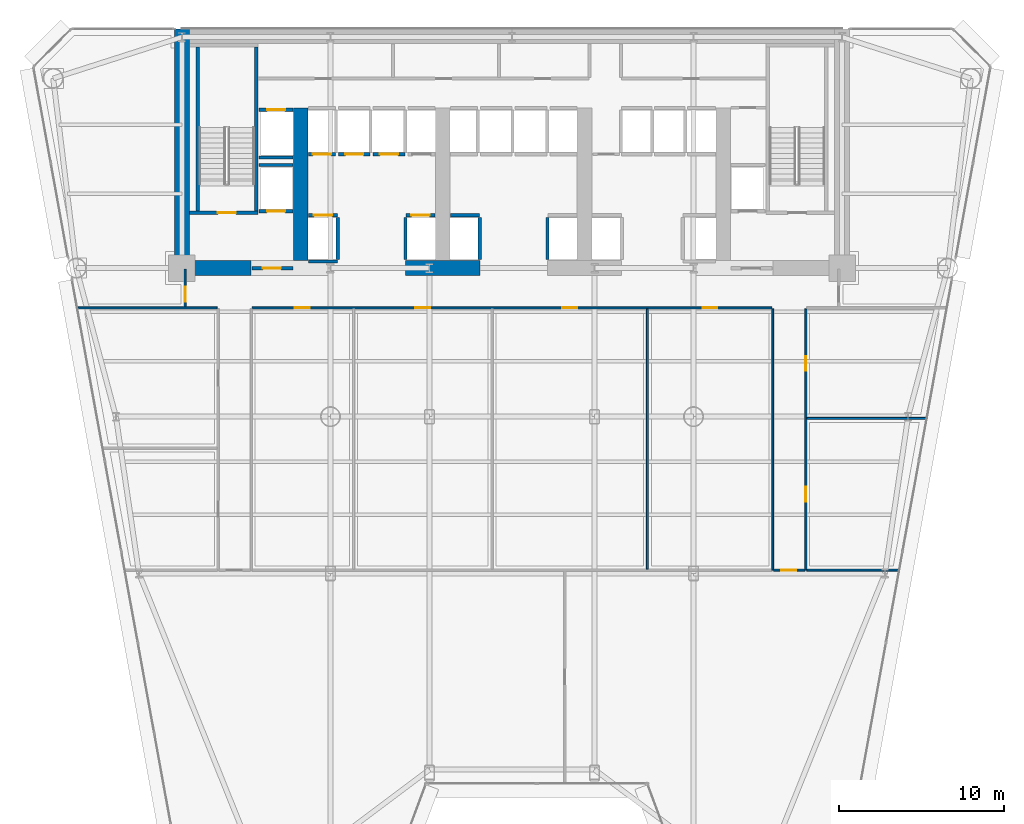
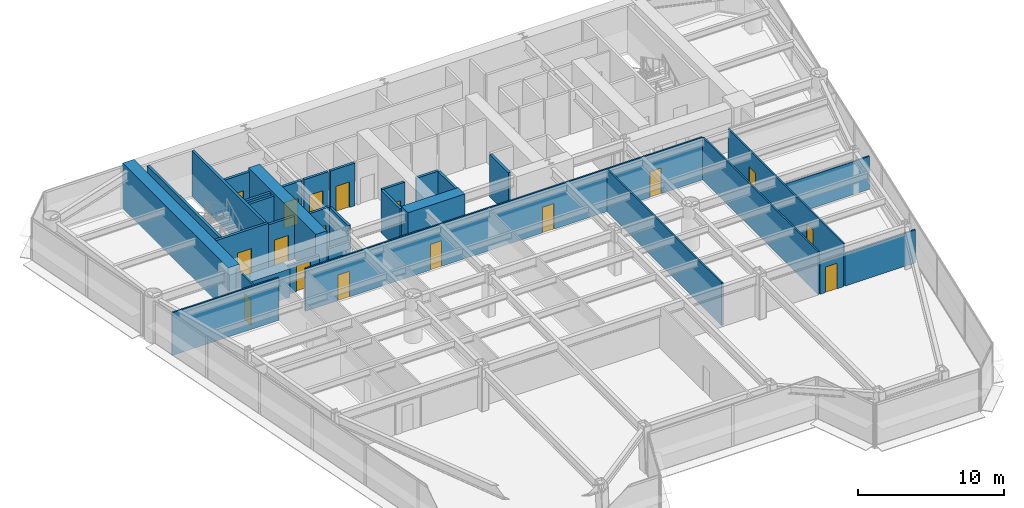
# One storey, part 8 of 14: 32 walls, 17 doors, 17 openings.
"""IFC4 building model written with IfcOpenShell, lengths in metres."""

from ifc_helpers import new_model, si_unit, direction, frame, frame_2d, origin, place, context, subcontext, project, spatial, rectangle, extrude, source, transform, mapped, material, layer, layer_set, type_object, element, fill, save


model = new_model("IFC4")

# Units and contexts
model_context = context("Model", 3, precision=1e-05, world=origin(), true_north=direction((0.0, 1.0)))
body_context = subcontext(model_context, "Body", "Model", "MODEL_VIEW")
ifc_project = project(units=[si_unit("LENGTHUNIT", "METRE"), si_unit("AREAUNIT", "SQUARE_METRE"), si_unit("VOLUMEUNIT", "CUBIC_METRE"), si_unit("PLANEANGLEUNIT", "RADIAN"), si_unit("MASSUNIT", "GRAM", prefix="KILO")], contexts=[model_context])

# Site, building, storey
site_placement = place(None, origin())
site = spatial("IfcSite", under=ifc_project, at=site_placement, CompositionType="ELEMENT")
building_placement = place(site_placement, origin())
building = spatial("IfcBuilding", under=site, at=building_placement, Name="Vaeldorn Concourse Tower", CompositionType="ELEMENT")
storey_placement = place(building_placement, frame((0.0, 0.0, 26.39990234375)))
storey = spatial("IfcBuildingStorey", under=building, at=storey_placement, Name="L06", CompositionType="ELEMENT", Elevation=26.39990234375)

# Walls
ifc_material_1 = material(Name="Concrete C60/75", Category="concrete")
ifc_layer_1 = layer(ifc_material_1, 0.89990234375)
ifc_layer_set_1 = layer_set([ifc_layer_1], Name="Concrete C60/75")
wall_type_1 = type_object("IfcWallType", Name="WL-CORE-900", PredefinedType="SHEAR", material=ifc_layer_set_1)
wall_1_placement = place(storey_placement, frame((14.0, 36.5, 0.0), z_axis=(0.0, 0.0, 1.0), x_axis=(0.0, 1.0, 0.0)))
element("IfcWall", 1, at=wall_1_placement, inside=storey, type_object=wall_type_1, Name="Rear Core Shear Wall L06 W1", PredefinedType="SHEAR", context=body_context, shape_type="SweptSolid", body=[
    extrude(rectangle(XDim=14.5, YDim=0.89990234375, at=frame_2d((7.25, 0.0))), origin(), (0.0, 0.0, 1.0), 3.800048828125),
])
wall_2_placement = place(storey_placement, frame((14.469970703125, 36.5, 0.0), z_axis=(0.0, 0.0, 1.0), x_axis=(1.0, 0.0, 0.0)))
element("IfcWall", 2, at=wall_2_placement, inside=storey, type_object=wall_type_1, Name="Rear Core Shear Wall L06 S1", PredefinedType="SHEAR", context=body_context, shape_type="SweptSolid", body=[
    extrude(rectangle(XDim=3.72998046875, YDim=0.89990234375, at=frame_2d((1.864990234375, 0.0))), origin(), (0.0, 0.0, 1.0), 2.380126953125),
])
wall_3_placement = place(storey_placement, frame((27.550048828125, 36.5, 0.0), z_axis=(0.0, 0.0, 1.0), x_axis=(1.0, 0.0, 0.0)))
element("IfcWall", 3, at=wall_3_placement, inside=storey, type_object=wall_type_1, Name="Rear Core Shear Wall L06 S2", PredefinedType="SHEAR", context=body_context, shape_type="SweptSolid", body=[
    extrude(rectangle(XDim=4.5, YDim=0.89990234375, at=frame_2d((2.25, 0.0))), origin(), (0.0, 0.0, 1.0), 3.800048828125),
])
wall_4_placement = place(storey_placement, frame((21.199951171875, 36.969970703125, 0.0), z_axis=(0.0, 0.0, 1.0), x_axis=(0.0, 1.0, 0.0)))
element("IfcWall", 4, at=wall_4_placement, inside=storey, type_object=wall_type_1, Name="Rear Core Shear Wall L06 M1", PredefinedType="SHEAR", context=body_context, shape_type="SweptSolid", body=[
    extrude(rectangle(XDim=9.22998046875, YDim=0.89990234375, at=frame_2d((4.614990234375, 0.0))), origin(), (0.0, 0.0, 1.0), 3.800048828125),
])

# Wall, openings, doors
ifc_material_2 = material(Name="Gypsum Board Partition", Category="gypsum")
ifc_layer_2 = layer(ifc_material_2, 0.1201171875)
ifc_layer_set_2 = layer_set([ifc_layer_2], Name="Gypsum Board Partition")
wall_type_2 = type_object("IfcWallType", Name="WL-PART-120", PredefinedType="PARTITIONING", material=ifc_layer_set_2)
wall_5_placement = place(storey_placement, frame((18.260009765625, 34.10009765625, 0.0), z_axis=(0.0, 0.0, 1.0), x_axis=(1.0, 0.0, 0.0)))
wall_5 = element("IfcWall", 5, at=wall_5_placement, inside=storey, type_object=wall_type_2, Name="Interior Wall PW-L06-CEWS", PredefinedType="PARTITIONING", context=body_context, shape_type="SweptSolid", body=[
    extrude(rectangle(XDim=31.47998046875, YDim=0.1201171875, at=frame_2d((15.739990234375, 0.0))), origin(), (0.0, 0.0, 1.0), 3.580078125),
])
opening_1_placement = place(wall_5_placement, frame((2.590087890625, 0.0, 0.0)))
opening_1 = element("IfcOpeningElement", 6, at=opening_1_placement, cuts=wall_5, Name="Opening D-03", PredefinedType="OPENING", context=body_context, shape_type="SweptSolid", body=[
    extrude(rectangle(XDim=0.89990234375, YDim=2.14990234375, at=frame_2d((0.449951171875, 1.074951171875))), frame((0.0, 0.070068359375, 0.0), z_axis=(0.0, -1.0, 0.0), x_axis=(1.0, 0.0, 0.0)), (0.0, 0.0, 1.0), 0.14013671875),
])
opening_2_placement = place(wall_5_placement, frame((9.889892578125, 0.0, 0.0)))
opening_2 = element("IfcOpeningElement", 7, at=opening_2_placement, cuts=wall_5, Name="Opening D-03", PredefinedType="OPENING", context=body_context, shape_type="SweptSolid", body=[
    extrude(rectangle(XDim=0.89990234375, YDim=2.14990234375, at=frame_2d((0.449951171875, 1.074951171875))), frame((0.0, 0.070068359375, 0.0), z_axis=(0.0, -1.0, 0.0), x_axis=(1.0, 0.0, 0.0)), (0.0, 0.0, 1.0), 0.14013671875),
])
opening_3_placement = place(wall_5_placement, frame((18.7900390625, 0.0, 0.0)))
opening_3 = element("IfcOpeningElement", 8, at=opening_3_placement, cuts=wall_5, Name="Opening D-03", PredefinedType="OPENING", context=body_context, shape_type="SweptSolid", body=[
    extrude(rectangle(XDim=0.89990234375, YDim=2.14990234375, at=frame_2d((0.449951171875, 1.074951171875))), frame((0.0, 0.070068359375, 0.0), z_axis=(0.0, -1.0, 0.0), x_axis=(1.0, 0.0, 0.0)), (0.0, 0.0, 1.0), 0.14013671875),
])
opening_4_placement = place(wall_5_placement, frame((27.2900390625, 0.0, 0.0)))
opening_4 = element("IfcOpeningElement", 9, at=opening_4_placement, cuts=wall_5, Name="Opening D-03", PredefinedType="OPENING", context=body_context, shape_type="SweptSolid", body=[
    extrude(rectangle(XDim=0.89990234375, YDim=2.14990234375, at=frame_2d((0.449951171875, 1.074951171875))), frame((0.0, 0.070068359375, 0.0), z_axis=(0.0, -1.0, 0.0), x_axis=(1.0, 0.0, 0.0)), (0.0, 0.0, 1.0), 0.14013671875),
])
ifc_material_3 = material(Name="Acoustic Bronze-Framed Glass Door", Category="glass")
door_type_1 = type_object("IfcDoorType", Name="DR-INT-900", OperationType="NOTDEFINED", PredefinedType="DOOR", material=ifc_material_3)
shared_shape_1 = source(origin(), body_context, "Body", "SweptSolid", [
    extrude(rectangle(XDim=0.89990234375, YDim=2.14990234375, at=frame_2d((0.449951171875, 1.074951171875))), frame((0.0, 0.02490234375, 0.0), z_axis=(0.0, -1.0, 0.0), x_axis=(1.0, 0.0, 0.0)), (0.0, 0.0, 1.0), 0.050048828125),
])
door_1_placement = place(opening_1_placement, origin())
door_1 = element("IfcDoor", 10, at=door_1_placement, inside=storey, type_object=door_type_1, Name="Interior Door DR-L06-H1", OperationType="SINGLE_SWING_LEFT", OverallHeight=2.14990234375, OverallWidth=0.89990234375, PredefinedType="DOOR", context=body_context, shape_type="MappedRepresentation", body=[
    mapped(shared_shape_1, transform((0.0, 0.0, 0.0), scale=1.0)),
])
fill(opening_1, door_1)
door_2_placement = place(opening_2_placement, origin())
door_2 = element("IfcDoor", 11, at=door_2_placement, inside=storey, type_object=door_type_1, Name="Interior Door DR-L06-H2", OperationType="SINGLE_SWING_RIGHT", OverallHeight=2.14990234375, OverallWidth=0.89990234375, PredefinedType="DOOR", context=body_context, shape_type="MappedRepresentation", body=[
    mapped(shared_shape_1, transform((0.0, 0.0, 0.0), scale=1.0)),
])
fill(opening_2, door_2)
door_3_placement = place(opening_3_placement, origin())
door_3 = element("IfcDoor", 12, at=door_3_placement, inside=storey, type_object=door_type_1, Name="Interior Door DR-L06-H3", OperationType="SINGLE_SWING_LEFT", OverallHeight=2.14990234375, OverallWidth=0.89990234375, PredefinedType="DOOR", context=body_context, shape_type="MappedRepresentation", body=[
    mapped(shared_shape_1, transform((0.0, 0.0, 0.0), scale=1.0)),
])
fill(opening_3, door_3)
door_4_placement = place(opening_4_placement, origin())
door_4 = element("IfcDoor", 13, at=door_4_placement, inside=storey, type_object=door_type_1, Name="Interior Door DR-L06-H4", OperationType="SINGLE_SWING_RIGHT", OverallHeight=2.14990234375, OverallWidth=0.89990234375, PredefinedType="DOOR", context=body_context, shape_type="MappedRepresentation", body=[
    mapped(shared_shape_1, transform((0.0, 0.0, 0.0), scale=1.0)),
])
fill(opening_4, door_4)

# Wall
wall_6_placement = place(storey_placement, frame((7.690185546875, 34.10009765625, 0.0), z_axis=(0.0, 0.0, 1.0), x_axis=(1.0, 0.0, 0.0)))
element("IfcWall", 14, at=wall_6_placement, inside=storey, type_object=wall_type_2, Name="Interior Wall PW-L06-CEWW", PredefinedType="PARTITIONING", context=body_context, shape_type="SweptSolid", body=[
    extrude(rectangle(XDim=8.44970703125, YDim=0.1201171875, at=frame_2d((4.224853515625, 0.0))), origin(), (0.0, 0.0, 1.0), 3.580078125),
])

# Wall, opening, door
wall_7_placement = place(storey_placement, frame((14.199951171875, 34.159912109375, 0.0), z_axis=(0.0, 0.0, 1.0), x_axis=(0.0, 1.0, 0.0)))
wall_7 = element("IfcWall", 15, at=wall_7_placement, inside=storey, type_object=wall_type_2, Name="Interior Wall PW-L06-CWWT", PredefinedType="PARTITIONING", context=body_context, shape_type="SweptSolid", body=[
    extrude(rectangle(XDim=2.280029296875, YDim=0.1201171875, at=frame_2d((1.14013671875, 0.0))), origin(), (0.0, 0.0, 1.0), 3.580078125),
])
opening_5_placement = place(wall_7_placement, frame((0.300048828125, 0.0, 0.0)))
opening_5 = element("IfcOpeningElement", 16, at=opening_5_placement, cuts=wall_7, Name="Opening D-03", PredefinedType="OPENING", context=body_context, shape_type="SweptSolid", body=[
    extrude(rectangle(XDim=0.89990234375, YDim=2.14990234375, at=frame_2d((0.449951171875, 1.074951171875))), frame((0.0, 0.070068359375, 0.0), z_axis=(0.0, -1.0, 0.0), x_axis=(1.0, 0.0, 0.0)), (0.0, 0.0, 1.0), 0.14013671875),
])
door_5_placement = place(opening_5_placement, origin())
door_5 = element("IfcDoor", 17, at=door_5_placement, inside=storey, type_object=door_type_1, Name="Interior Door DR-L06-NW1", OperationType="SINGLE_SWING_LEFT", OverallHeight=2.14990234375, OverallWidth=0.89990234375, PredefinedType="DOOR", context=body_context, shape_type="MappedRepresentation", body=[
    mapped(shared_shape_1, transform((0.0, 0.0, 0.0), scale=1.0)),
])
fill(opening_5, door_5)

# Wall
wall_8_placement = place(storey_placement, frame((49.800048828125, 18.199951171875, 0.0), z_axis=(0.0, 0.0, 1.0), x_axis=(0.0, 1.0, 0.0)))
element("IfcWall", 18, at=wall_8_placement, inside=storey, type_object=wall_type_2, Name="Interior Wall PW-L06-CEW", PredefinedType="PARTITIONING", context=body_context, shape_type="SweptSolid", body=[
    extrude(rectangle(XDim=15.840087890625, YDim=0.1201171875, at=frame_2d((7.919921875, 0.0))), origin(), (0.0, 0.0, 1.0), 3.580078125),
])

# Wall, openings, doors
wall_9_placement = place(storey_placement, frame((51.800048828125, 18.199951171875, 0.0), z_axis=(0.0, 0.0, 1.0), x_axis=(0.0, 1.0, 0.0)))
wall_9 = element("IfcWall", 19, at=wall_9_placement, inside=storey, type_object=wall_type_2, Name="Interior Wall PW-L06-CEE", PredefinedType="PARTITIONING", context=body_context, shape_type="SweptSolid", body=[
    extrude(rectangle(XDim=15.840087890625, YDim=0.1201171875, at=frame_2d((7.919921875, 0.0))), origin(), (0.0, 0.0, 1.0), 3.580078125),
])
opening_6_placement = place(wall_9_placement, frame((4.14990234375, 0.0, 0.0)))
opening_6 = element("IfcOpeningElement", 20, at=opening_6_placement, cuts=wall_9, Name="Opening D-03", PredefinedType="OPENING", context=body_context, shape_type="SweptSolid", body=[
    extrude(rectangle(XDim=0.89990234375, YDim=2.14990234375, at=frame_2d((0.449951171875, 1.074951171875))), frame((0.0, 0.070068359375, 0.0), z_axis=(0.0, -1.0, 0.0), x_axis=(1.0, 0.0, 0.0)), (0.0, 0.0, 1.0), 0.14013671875),
])
opening_7_placement = place(wall_9_placement, frame((12.070068359375, 0.0, 0.0)))
opening_7 = element("IfcOpeningElement", 21, at=opening_7_placement, cuts=wall_9, Name="Opening D-03", PredefinedType="OPENING", context=body_context, shape_type="SweptSolid", body=[
    extrude(rectangle(XDim=0.89990234375, YDim=2.14990234375, at=frame_2d((0.449951171875, 1.074951171875))), frame((0.0, 0.070068359375, 0.0), z_axis=(0.0, -1.0, 0.0), x_axis=(1.0, 0.0, 0.0)), (0.0, 0.0, 1.0), 0.14013671875),
])
door_6_placement = place(opening_6_placement, origin())
door_6 = element("IfcDoor", 22, at=door_6_placement, inside=storey, type_object=door_type_1, Name="Interior Door DR-L06-E1", OperationType="SINGLE_SWING_RIGHT", OverallHeight=2.14990234375, OverallWidth=0.89990234375, PredefinedType="DOOR", context=body_context, shape_type="MappedRepresentation", body=[
    mapped(shared_shape_1, transform((0.0, 0.0, 0.0), scale=1.0)),
])
fill(opening_6, door_6)
door_7_placement = place(opening_7_placement, origin())
door_7 = element("IfcDoor", 23, at=door_7_placement, inside=storey, type_object=door_type_1, Name="Interior Door DR-L06-E2", OperationType="SINGLE_SWING_LEFT", OverallHeight=2.14990234375, OverallWidth=0.89990234375, PredefinedType="DOOR", context=body_context, shape_type="MappedRepresentation", body=[
    mapped(shared_shape_1, transform((0.0, 0.0, 0.0), scale=1.0)),
])
fill(opening_7, door_7)

# Wall, opening, door
wall_10_placement = place(storey_placement, frame((49.860107421875, 18.199951171875, 0.0), z_axis=(0.0, 0.0, 1.0), x_axis=(1.0, 0.0, 0.0)))
wall_10 = element("IfcWall", 24, at=wall_10_placement, inside=storey, type_object=wall_type_2, Name="Interior Wall PW-L06-CES", PredefinedType="PARTITIONING", context=body_context, shape_type="SweptSolid", body=[
    extrude(rectangle(XDim=1.8798828125, YDim=0.1201171875, at=frame_2d((0.93994140625, 0.0))), origin(), (0.0, 0.0, 1.0), 2.77001953125),
])
opening_8_placement = place(wall_10_placement, frame((0.449951171875, 0.0, 0.0)))
opening_8 = element("IfcOpeningElement", 25, at=opening_8_placement, cuts=wall_10, Name="Opening D-03", PredefinedType="OPENING", context=body_context, shape_type="SweptSolid", body=[
    extrude(rectangle(XDim=0.89990234375, YDim=2.14990234375, at=frame_2d((0.449951171875, 1.074951171875))), frame((0.0, 0.070068359375, 0.0), z_axis=(0.0, -1.0, 0.0), x_axis=(1.0, 0.0, 0.0)), (0.0, 0.0, 1.0), 0.14013671875),
])
door_8_placement = place(opening_8_placement, origin())
door_8 = element("IfcDoor", 26, at=door_8_placement, inside=storey, type_object=door_type_1, Name="Interior Door DR-L06-SEL", OperationType="SINGLE_SWING_RIGHT", OverallHeight=2.14990234375, OverallWidth=0.89990234375, PredefinedType="DOOR", context=body_context, shape_type="MappedRepresentation", body=[
    mapped(shared_shape_1, transform((0.0, 0.0, 0.0), scale=1.0)),
])
fill(opening_8, door_8)

# Walls
wall_11_placement = place(storey_placement, frame((51.860107421875, 18.199951171875, 0.0), z_axis=(0.0, 0.0, 1.0), x_axis=(1.0, 0.0, 0.0)))
element("IfcWall", 27, at=wall_11_placement, inside=storey, type_object=wall_type_2, Name="Interior Wall PW-L06-EY0", PredefinedType="PARTITIONING", context=body_context, shape_type="SweptSolid", body=[
    extrude(rectangle(XDim=5.563232421875, YDim=0.1201171875, at=frame_2d((2.78173828125, 0.0))), origin(), (0.0, 0.0, 1.0), 2.77001953125),
])
wall_12_placement = place(storey_placement, frame((51.860107421875, 27.39990234375, 0.0), z_axis=(0.0, 0.0, 1.0), x_axis=(1.0, 0.0, 0.0)))
element("IfcWall", 28, at=wall_12_placement, inside=storey, type_object=wall_type_2, Name="Interior Wall PW-L06-EY1", PredefinedType="PARTITIONING", context=body_context, shape_type="SweptSolid", body=[
    extrude(rectangle(XDim=7.2333984375, YDim=0.1201171875, at=frame_2d((3.61669921875, 0.0))), origin(), (0.0, 0.0, 1.0), 2.77001953125),
])
wall_13_placement = place(storey_placement, frame((42.199951171875, 18.260009765625, 0.0), z_axis=(0.0, 0.0, 1.0), x_axis=(0.0, 1.0, 0.0)))
element("IfcWall", 29, at=wall_13_placement, inside=storey, type_object=wall_type_2, Name="Interior Wall PW-L06-HX3", PredefinedType="PARTITIONING", context=body_context, shape_type="SweptSolid", body=[
    extrude(rectangle(XDim=15.780029296875, YDim=0.1201171875, at=frame_2d((7.89013671875, 0.0))), origin(), (0.0, 0.0, 1.0), 3.580078125),
])

# Wall, opening, door
ifc_material_4 = material(Name="Concrete C50/60", Category="concrete")
ifc_layer_3 = layer(ifc_material_4, 0.199951171875)
ifc_layer_set_3 = layer_set([ifc_layer_3], Name="Concrete C50/60")
wall_type_3 = type_object("IfcWallType", Name="WL-SHAFT-200", PredefinedType="SOLIDWALL", material=ifc_layer_set_3)
wall_14_placement = place(storey_placement, frame((14.449951171875, 39.85009765625, 0.0), z_axis=(0.0, 0.0, 1.0), x_axis=(1.0, 0.0, 0.0)))
wall_14 = element("IfcWall", 30, at=wall_14_placement, inside=storey, type_object=wall_type_3, Name="Stair Shaft Wall CW-L06-ST-1-S", PredefinedType="SOLIDWALL", context=body_context, shape_type="SweptSolid", body=[
    extrude(rectangle(XDim=4.150146484375, YDim=0.199951171875, at=frame_2d((2.0751953125, 0.0))), origin(), (0.0, 0.0, 1.0), 3.800048828125),
])
opening_9_placement = place(wall_14_placement, frame((1.72509765625, 0.0, 0.0)))
opening_9 = element("IfcOpeningElement", 31, at=opening_9_placement, cuts=wall_14, Name="Opening D-01", PredefinedType="OPENING", context=body_context, shape_type="SweptSolid", body=[
    extrude(rectangle(XDim=1.10009765625, YDim=2.14990234375, at=frame_2d((0.550048828125, 1.074951171875))), frame((0.0, 0.10986328125, 0.0), z_axis=(0.0, -1.0, 0.0), x_axis=(1.0, 0.0, 0.0)), (0.0, 0.0, 1.0), 0.219970703125),
])
ifc_material_5 = material(Name="Fire-Rated Timber and Steel Leaf", Category="steel")
door_type_2 = type_object("IfcDoorType", Name="DR-FD60-1100", OperationType="NOTDEFINED", PredefinedType="DOOR", material=ifc_material_5)
shared_shape_2 = source(origin(), body_context, "Body", "SweptSolid", [
    extrude(rectangle(XDim=1.10009765625, YDim=2.14990234375, at=frame_2d((0.550048828125, 1.074951171875))), frame((0.0, 0.02490234375, 0.0), z_axis=(0.0, -1.0, 0.0), x_axis=(1.0, 0.0, 0.0)), (0.0, 0.0, 1.0), 0.050048828125),
])
door_9_placement = place(opening_9_placement, origin())
door_9 = element("IfcDoor", 32, at=door_9_placement, inside=storey, type_object=door_type_2, Name="Interior Door DR-L06-ST-1", OperationType="SINGLE_SWING_LEFT", OverallHeight=2.14990234375, OverallWidth=1.10009765625, PredefinedType="DOOR", context=body_context, shape_type="MappedRepresentation", body=[
    mapped(shared_shape_2, transform((0.0, 0.0, 0.0), scale=1.0)),
])
fill(opening_9, door_9)

# Walls
for number, where, z_axis, x_axis, name in (
    (33, (14.949951171875, 39.9599609375, 0.0), (0.0, 0.0, 1.0), (0.0, 1.0, 0.0), "Stair Shaft Wall CW-L06-ST-1-W"),
    (34, (18.5, 39.9599609375, 0.0), (0.0, 0.0, 1.0), (0.0, 1.0, 0.0), "Stair Shaft Wall CW-L06-ST-1-E"),
):
    element("IfcWall", number, at=place(storey_placement, frame(where, z_axis=z_axis, x_axis=x_axis)), inside=storey, type_object=wall_type_3, Name=name, PredefinedType="SOLIDWALL", context=body_context, shape_type="SweptSolid", body=[
        extrude(rectangle(XDim=9.929931640625, YDim=0.199951171875, at=frame_2d((4.96484375, 0.0))), origin(), (0.0, 0.0, 1.0), 3.800048828125),
    ])

# Wall, opening, door
wall_15_placement = place(storey_placement, frame((18.25, 36.5, 0.0), z_axis=(0.0, 0.0, 1.0), x_axis=(1.0, 0.0, 0.0)))
wall_15 = element("IfcWall", 35, at=wall_15_placement, inside=storey, type_object=wall_type_3, Name="Interior Wall CW-L06-FF1S", PredefinedType="SOLIDWALL", context=body_context, shape_type="SweptSolid", body=[
    extrude(rectangle(XDim=2.469970703125, YDim=0.199951171875, at=frame_2d((1.23486328125, 0.0))), origin(), (0.0, 0.0, 1.0), 2.3701171875),
])
opening_10_placement = place(wall_15_placement, frame((0.64990234375, 0.0, 0.0)))
opening_10 = element("IfcOpeningElement", 36, at=opening_10_placement, cuts=wall_15, Name="Opening D-01", PredefinedType="OPENING", context=body_context, shape_type="SweptSolid", body=[
    extrude(rectangle(XDim=1.10009765625, YDim=2.14990234375, at=frame_2d((0.550048828125, 1.074951171875))), frame((0.0, 0.10986328125, 0.0), z_axis=(0.0, -1.0, 0.0), x_axis=(1.0, 0.0, 0.0)), (0.0, 0.0, 1.0), 0.219970703125),
])
door_10_placement = place(opening_10_placement, origin())
door_10 = element("IfcDoor", 37, at=door_10_placement, inside=storey, type_object=door_type_2, Name="Interior Door DR-L06-FF1E", OperationType="SINGLE_SWING_RIGHT", OverallHeight=2.14990234375, OverallWidth=1.10009765625, PredefinedType="DOOR", context=body_context, shape_type="MappedRepresentation", body=[
    mapped(shared_shape_2, transform((0.0, 0.0, 0.0), scale=1.0)),
])
fill(opening_10, door_10)

wall_16_placement = place(storey_placement, frame((21.659912109375, 39.699951171875, 0.0), z_axis=(0.0, 0.0, 1.0), x_axis=(1.0, 0.0, 0.0)))
wall_16 = element("IfcWall", 38, at=wall_16_placement, inside=storey, type_object=wall_type_3, Name="Interior Wall CW-L06-LF-LF-01", PredefinedType="SOLIDWALL", context=body_context, shape_type="SweptSolid", body=[
    extrude(rectangle(XDim=1.77001953125, YDim=0.199951171875, at=frame_2d((0.885009765625, 0.0))), origin(), (0.0, 0.0, 1.0), 3.580078125),
])
opening_11_placement = place(wall_16_placement, frame((0.3349609375, 0.0, 0.0)))
opening_11 = element("IfcOpeningElement", 39, at=opening_11_placement, cuts=wall_16, Name="Opening LD-1", PredefinedType="OPENING", context=body_context, shape_type="SweptSolid", body=[
    extrude(rectangle(XDim=1.10009765625, YDim=2.14990234375, at=frame_2d((0.550048828125, 1.074951171875))), frame((0.0, 0.10986328125, 0.0), z_axis=(0.0, -1.0, 0.0), x_axis=(1.0, 0.0, 0.0)), (0.0, 0.0, 1.0), 0.219970703125),
])
ifc_material_6 = material(Name="Anodised Bronze Aluminium", Category="aluminium")
door_type_3 = type_object("IfcDoorType", Name="DR-LIFT-SLIDE-1100", OperationType="DOUBLE_DOOR_SLIDING", PredefinedType="DOOR", material=ifc_material_6)
door_11_placement = place(opening_11_placement, origin())
door_11 = element("IfcDoor", 40, at=door_11_placement, inside=storey, type_object=door_type_3, Name="Lift Landing Door LD-L06-LF-01", OperationType="DOUBLE_DOOR_SLIDING", OverallHeight=2.14990234375, OverallWidth=1.10009765625, PredefinedType="DOOR", context=body_context, shape_type="MappedRepresentation", body=[
    mapped(shared_shape_2, transform((0.0, 0.0, 0.0), scale=1.0)),
])
fill(opening_11, door_11)

# Walls
wall_17_placement = place(storey_placement, frame((21.659912109375, 36.89990234375, 0.0), z_axis=(0.0, 0.0, 1.0), x_axis=(1.0, 0.0, 0.0)))
element("IfcWall", 41, at=wall_17_placement, inside=storey, type_object=wall_type_3, Name="Interior Wall CW-L06-LFB-LF-01", PredefinedType="SOLIDWALL", context=body_context, shape_type="SweptSolid", body=[
    extrude(rectangle(XDim=1.77001953125, YDim=0.199951171875, at=frame_2d((0.885009765625, 0.0))), origin(), (0.0, 0.0, 1.0), 2.3701171875),
])
wall_18_placement = place(storey_placement, frame((23.449951171875, 37.02001953125, 0.0), z_axis=(0.0, 0.0, 1.0), x_axis=(0.0, 1.0, 0.0)))
element("IfcWall", 42, at=wall_18_placement, inside=storey, type_object=wall_type_3, Name="Interior Wall CW-L06-LFE-LF-01", PredefinedType="SOLIDWALL", context=body_context, shape_type="SweptSolid", body=[
    extrude(rectangle(XDim=2.56005859375, YDim=0.199951171875, at=frame_2d((1.280029296875, 0.0))), origin(), (0.0, 0.0, 1.0), 3.580078125),
])

# Wall, opening, door
wall_19_placement = place(storey_placement, frame((27.570068359375, 39.699951171875, 0.0), z_axis=(0.0, 0.0, 1.0), x_axis=(1.0, 0.0, 0.0)))
wall_19 = element("IfcWall", 43, at=wall_19_placement, inside=storey, type_object=wall_type_3, Name="Interior Wall CW-L06-LF-LF-02", PredefinedType="SOLIDWALL", context=body_context, shape_type="SweptSolid", body=[
    extrude(rectangle(XDim=1.77001953125, YDim=0.199951171875, at=frame_2d((0.885009765625, 0.0))), origin(), (0.0, 0.0, 1.0), 3.580078125),
])
opening_12_placement = place(wall_19_placement, frame((0.3349609375, 0.0, 0.0)))
opening_12 = element("IfcOpeningElement", 44, at=opening_12_placement, cuts=wall_19, Name="Opening LD-1", PredefinedType="OPENING", context=body_context, shape_type="SweptSolid", body=[
    extrude(rectangle(XDim=1.10009765625, YDim=2.14990234375, at=frame_2d((0.550048828125, 1.074951171875))), frame((0.0, 0.10986328125, 0.0), z_axis=(0.0, -1.0, 0.0), x_axis=(1.0, 0.0, 0.0)), (0.0, 0.0, 1.0), 0.219970703125),
])
door_12_placement = place(opening_12_placement, origin())
door_12 = element("IfcDoor", 45, at=door_12_placement, inside=storey, type_object=door_type_3, Name="Lift Landing Door LD-L06-LF-02", OperationType="DOUBLE_DOOR_SLIDING", OverallHeight=2.14990234375, OverallWidth=1.10009765625, PredefinedType="DOOR", context=body_context, shape_type="MappedRepresentation", body=[
    mapped(shared_shape_2, transform((0.0, 0.0, 0.0), scale=1.0)),
])
fill(opening_12, door_12)

# Wall
wall_20_placement = place(storey_placement, frame((27.550048828125, 37.02001953125, 0.0), z_axis=(0.0, 0.0, 1.0), x_axis=(0.0, 1.0, 0.0)))
element("IfcWall", 46, at=wall_20_placement, inside=storey, type_object=wall_type_3, Name="Interior Wall CW-L06-LFW-LF-02", PredefinedType="SOLIDWALL", context=body_context, shape_type="SweptSolid", body=[
    extrude(rectangle(XDim=2.56005859375, YDim=0.199951171875, at=frame_2d((1.280029296875, 0.0))), origin(), (0.0, 0.0, 1.0), 3.580078125),
])

# Wall, opening, door
wall_21_placement = place(storey_placement, frame((21.659912109375, 43.39990234375, 0.0), z_axis=(0.0, 0.0, 1.0), x_axis=(1.0, 0.0, 0.0)))
wall_21 = element("IfcWall", 47, at=wall_21_placement, inside=storey, type_object=wall_type_3, Name="Interior Wall CW-L06-LF-LF-03", PredefinedType="SOLIDWALL", context=body_context, shape_type="SweptSolid", body=[
    extrude(rectangle(XDim=1.650146484375, YDim=0.199951171875, at=frame_2d((0.8251953125, 0.0))), origin(), (0.0, 0.0, 1.0), 3.580078125),
])
opening_13_placement = place(wall_21_placement, frame((0.27490234375, 0.0, 0.0)))
opening_13 = element("IfcOpeningElement", 48, at=opening_13_placement, cuts=wall_21, Name="Opening LD-1", PredefinedType="OPENING", context=body_context, shape_type="SweptSolid", body=[
    extrude(rectangle(XDim=1.10009765625, YDim=2.14990234375, at=frame_2d((0.550048828125, 1.074951171875))), frame((0.0, 0.10986328125, 0.0), z_axis=(0.0, -1.0, 0.0), x_axis=(1.0, 0.0, 0.0)), (0.0, 0.0, 1.0), 0.219970703125),
])
door_13_placement = place(opening_13_placement, origin())
door_13 = element("IfcDoor", 49, at=door_13_placement, inside=storey, type_object=door_type_3, Name="Lift Landing Door LD-L06-LF-03", OperationType="DOUBLE_DOOR_SLIDING", OverallHeight=2.14990234375, OverallWidth=1.10009765625, PredefinedType="DOOR", context=body_context, shape_type="MappedRepresentation", body=[
    mapped(shared_shape_2, transform((0.0, 0.0, 0.0), scale=1.0)),
])
fill(opening_13, door_13)

wall_22_placement = place(storey_placement, frame((23.489990234375, 43.39990234375, 0.0), z_axis=(0.0, 0.0, 1.0), x_axis=(1.0, 0.0, 0.0)))
wall_22 = element("IfcWall", 50, at=wall_22_placement, inside=storey, type_object=wall_type_3, Name="Interior Wall CW-L06-LF-LF-04", PredefinedType="SOLIDWALL", context=body_context, shape_type="SweptSolid", body=[
    extrude(rectangle(XDim=1.919921875, YDim=0.199951171875, at=frame_2d((0.9599609375, 0.0))), origin(), (0.0, 0.0, 1.0), 3.580078125),
])
opening_14_placement = place(wall_22_placement, frame((0.409912109375, 0.0, 0.0)))
opening_14 = element("IfcOpeningElement", 51, at=opening_14_placement, cuts=wall_22, Name="Opening LD-1", PredefinedType="OPENING", context=body_context, shape_type="SweptSolid", body=[
    extrude(rectangle(XDim=1.10009765625, YDim=2.14990234375, at=frame_2d((0.550048828125, 1.074951171875))), frame((0.0, 0.10986328125, 0.0), z_axis=(0.0, -1.0, 0.0), x_axis=(1.0, 0.0, 0.0)), (0.0, 0.0, 1.0), 0.219970703125),
])
door_14_placement = place(opening_14_placement, origin())
door_14 = element("IfcDoor", 52, at=door_14_placement, inside=storey, type_object=door_type_3, Name="Lift Landing Door LD-L06-LF-04", OperationType="DOUBLE_DOOR_SLIDING", OverallHeight=2.14990234375, OverallWidth=1.10009765625, PredefinedType="DOOR", context=body_context, shape_type="MappedRepresentation", body=[
    mapped(shared_shape_2, transform((0.0, 0.0, 0.0), scale=1.0)),
])
fill(opening_14, door_14)

wall_23_placement = place(storey_placement, frame((25.590087890625, 43.39990234375, 0.0), z_axis=(0.0, 0.0, 1.0), x_axis=(1.0, 0.0, 0.0)))
wall_23 = element("IfcWall", 53, at=wall_23_placement, inside=storey, type_object=wall_type_3, Name="Interior Wall CW-L06-LF-LF-05", PredefinedType="SOLIDWALL", context=body_context, shape_type="SweptSolid", body=[
    extrude(rectangle(XDim=1.919921875, YDim=0.199951171875, at=frame_2d((0.9599609375, 0.0))), origin(), (0.0, 0.0, 1.0), 3.580078125),
])
opening_15_placement = place(wall_23_placement, frame((0.409912109375, 0.0, 0.0)))
opening_15 = element("IfcOpeningElement", 54, at=opening_15_placement, cuts=wall_23, Name="Opening LD-1", PredefinedType="OPENING", context=body_context, shape_type="SweptSolid", body=[
    extrude(rectangle(XDim=1.10009765625, YDim=2.14990234375, at=frame_2d((0.550048828125, 1.074951171875))), frame((0.0, 0.10986328125, 0.0), z_axis=(0.0, -1.0, 0.0), x_axis=(1.0, 0.0, 0.0)), (0.0, 0.0, 1.0), 0.219970703125),
])
door_15_placement = place(opening_15_placement, origin())
door_15 = element("IfcDoor", 55, at=door_15_placement, inside=storey, type_object=door_type_3, Name="Lift Landing Door LD-L06-LF-05", OperationType="DOUBLE_DOOR_SLIDING", OverallHeight=2.14990234375, OverallWidth=1.10009765625, PredefinedType="DOOR", context=body_context, shape_type="MappedRepresentation", body=[
    mapped(shared_shape_2, transform((0.0, 0.0, 0.0), scale=1.0)),
])
fill(opening_15, door_15)

# Walls
wall_24_placement = place(storey_placement, frame((30.260009765625, 39.699951171875, 0.0), z_axis=(0.0, 0.0, 1.0), x_axis=(1.0, 0.0, 0.0)))
element("IfcWall", 56, at=wall_24_placement, inside=storey, type_object=wall_type_3, Name="Interior Wall CW-L06-LF-LF-07", PredefinedType="SOLIDWALL", context=body_context, shape_type="SweptSolid", body=[
    extrude(rectangle(XDim=1.77001953125, YDim=0.199951171875, at=frame_2d((0.885009765625, 0.0))), origin(), (0.0, 0.0, 1.0), 3.580078125),
])
for number, where, z_axis, x_axis, name in (
    (57, (32.050048828125, 37.02001953125, 0.0), (0.0, 0.0, 1.0), (0.0, 1.0, 0.0), "Interior Wall CW-L06-LFE-LF-07"),
    (58, (36.14990234375, 37.02001953125, 0.0), (0.0, 0.0, 1.0), (0.0, 1.0, 0.0), "Interior Wall CW-L06-LFW-LF-08"),
):
    element("IfcWall", number, at=place(storey_placement, frame(where, z_axis=z_axis, x_axis=x_axis)), inside=storey, type_object=wall_type_3, Name=name, PredefinedType="SOLIDWALL", context=body_context, shape_type="SweptSolid", body=[
        extrude(rectangle(XDim=2.56005859375, YDim=0.199951171875, at=frame_2d((1.280029296875, 0.0))), origin(), (0.0, 0.0, 1.0), 3.580078125),
    ])

# Wall, opening, door
wall_25_placement = place(storey_placement, frame((18.669921875, 46.10009765625, 0.0), z_axis=(0.0, 0.0, 1.0), x_axis=(1.0, 0.0, 0.0)))
wall_25 = element("IfcWall", 59, at=wall_25_placement, inside=storey, type_object=wall_type_3, Name="Interior Wall CW-L06-LF-LF-SV1", PredefinedType="SOLIDWALL", context=body_context, shape_type="SweptSolid", body=[
    extrude(rectangle(XDim=2.070068359375, YDim=0.199951171875, at=frame_2d((1.03515625, 0.0))), origin(), (0.0, 0.0, 1.0), 3.580078125),
])
opening_16_placement = place(wall_25_placement, frame((0.485107421875, 0.0, 0.0)))
opening_16 = element("IfcOpeningElement", 60, at=opening_16_placement, cuts=wall_25, Name="Opening LD-1", PredefinedType="OPENING", context=body_context, shape_type="SweptSolid", body=[
    extrude(rectangle(XDim=1.10009765625, YDim=2.14990234375, at=frame_2d((0.550048828125, 1.074951171875))), frame((0.0, 0.10986328125, 0.0), z_axis=(0.0, -1.0, 0.0), x_axis=(1.0, 0.0, 0.0)), (0.0, 0.0, 1.0), 0.219970703125),
])
door_16_placement = place(opening_16_placement, origin())
door_16 = element("IfcDoor", 61, at=door_16_placement, inside=storey, type_object=door_type_3, Name="Lift Landing Door LD-L06-LF-SV1", OperationType="DOUBLE_DOOR_SLIDING", OverallHeight=2.14990234375, OverallWidth=1.10009765625, PredefinedType="DOOR", context=body_context, shape_type="MappedRepresentation", body=[
    mapped(shared_shape_2, transform((0.0, 0.0, 0.0), scale=1.0)),
])
fill(opening_16, door_16)

# Wall
wall_26_placement = place(storey_placement, frame((18.669921875, 43.199951171875, 0.0), z_axis=(0.0, 0.0, 1.0), x_axis=(1.0, 0.0, 0.0)))
element("IfcWall", 62, at=wall_26_placement, inside=storey, type_object=wall_type_3, Name="Interior Wall CW-L06-LFB-LF-SV1", PredefinedType="SOLIDWALL", context=body_context, shape_type="SweptSolid", body=[
    extrude(rectangle(XDim=2.070068359375, YDim=0.199951171875, at=frame_2d((1.03515625, 0.0))), origin(), (0.0, 0.0, 1.0), 3.580078125),
])

# Wall, opening, door
wall_27_placement = place(storey_placement, frame((18.669921875, 39.949951171875, 0.0), z_axis=(0.0, 0.0, 1.0), x_axis=(1.0, 0.0, 0.0)))
wall_27 = element("IfcWall", 63, at=wall_27_placement, inside=storey, type_object=wall_type_3, Name="Interior Wall CW-L06-LF-LF-FF1", PredefinedType="SOLIDWALL", context=body_context, shape_type="SweptSolid", body=[
    extrude(rectangle(XDim=2.070068359375, YDim=0.199951171875, at=frame_2d((1.03515625, 0.0))), origin(), (0.0, 0.0, 1.0), 3.580078125),
])
opening_17_placement = place(wall_27_placement, frame((0.485107421875, 0.0, 0.0)))
opening_17 = element("IfcOpeningElement", 64, at=opening_17_placement, cuts=wall_27, Name="Opening LD-1", PredefinedType="OPENING", context=body_context, shape_type="SweptSolid", body=[
    extrude(rectangle(XDim=1.10009765625, YDim=2.14990234375, at=frame_2d((0.550048828125, 1.074951171875))), frame((0.0, 0.10986328125, 0.0), z_axis=(0.0, -1.0, 0.0), x_axis=(1.0, 0.0, 0.0)), (0.0, 0.0, 1.0), 0.219970703125),
])
door_17_placement = place(opening_17_placement, origin())
door_17 = element("IfcDoor", 65, at=door_17_placement, inside=storey, type_object=door_type_3, Name="Lift Landing Door LD-L06-LF-FF1", OperationType="DOUBLE_DOOR_SLIDING", OverallHeight=2.14990234375, OverallWidth=1.10009765625, PredefinedType="DOOR", context=body_context, shape_type="MappedRepresentation", body=[
    mapped(shared_shape_2, transform((0.0, 0.0, 0.0), scale=1.0)),
])
fill(opening_17, door_17)

# Wall
wall_28_placement = place(storey_placement, frame((18.669921875, 42.75, 0.0), z_axis=(0.0, 0.0, 1.0), x_axis=(1.0, 0.0, 0.0)))
element("IfcWall", 66, at=wall_28_placement, inside=storey, type_object=wall_type_3, Name="Interior Wall CW-L06-LFB-LF-FF1", PredefinedType="SOLIDWALL", context=body_context, shape_type="SweptSolid", body=[
    extrude(rectangle(XDim=2.070068359375, YDim=0.199951171875, at=frame_2d((1.03515625, 0.0))), origin(), (0.0, 0.0, 1.0), 3.580078125),
])

save(model, "model.ifc")
